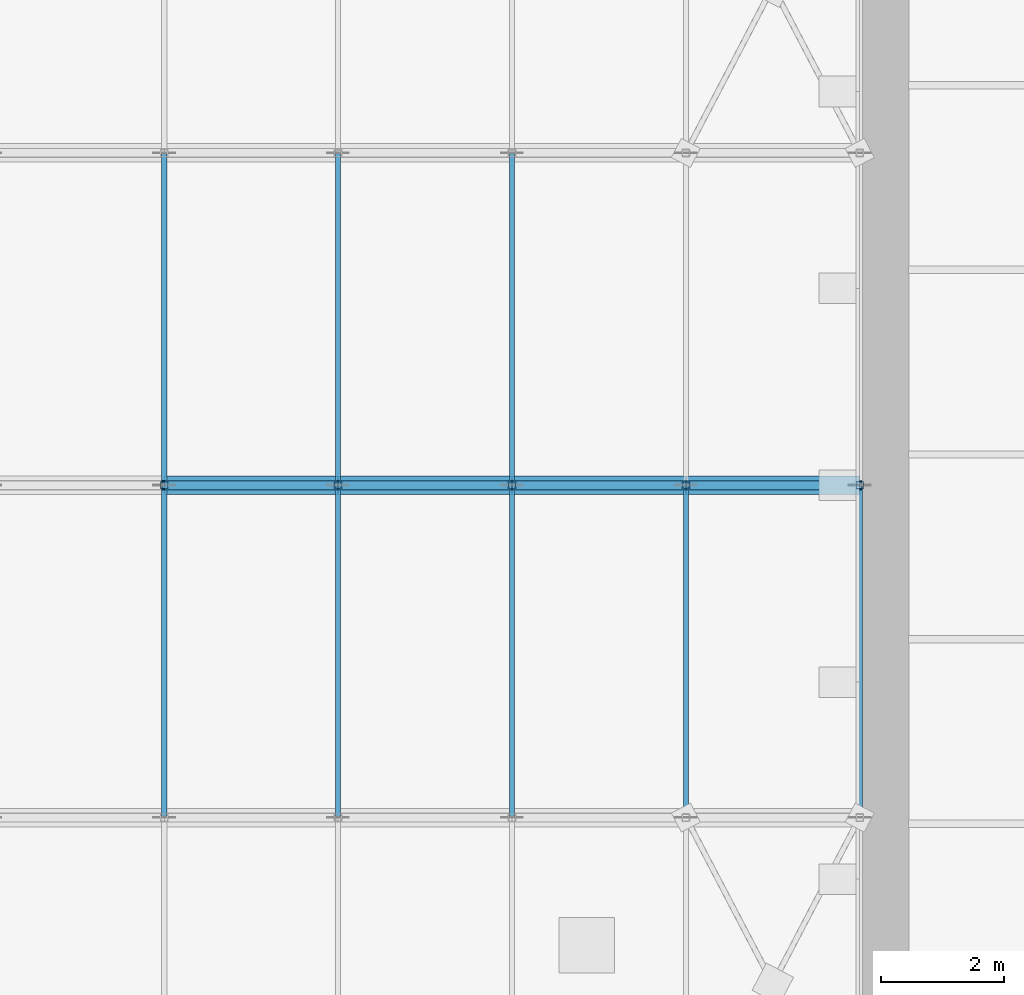
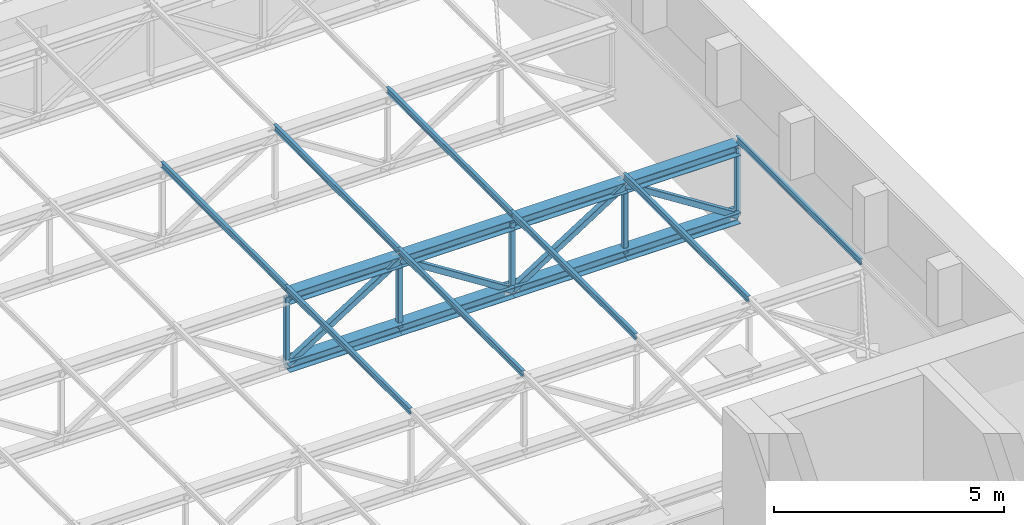
# One storey, part 35 of 132: 25 members.
"""IFC4 building model written with IfcOpenShell, lengths in metres."""

from ifc_helpers import new_model, si_unit, direction, frame, origin, origin_2d, place, context, subcontext, project, spatial, hollow_rectangle, i_section, extrude, material, material_profile, profile_set, type_object, element, save


model = new_model("IFC4")

# Units and contexts
model_context = context("Model", 3, precision=1e-05, world=origin(), true_north=direction((0.0, 1.0)))
body_context = subcontext(model_context, "Body", "Model", "MODEL_VIEW")
ifc_project = project(units=[si_unit("LENGTHUNIT", "METRE"), si_unit("AREAUNIT", "SQUARE_METRE"), si_unit("VOLUMEUNIT", "CUBIC_METRE"), si_unit("PLANEANGLEUNIT", "RADIAN"), si_unit("MASSUNIT", "GRAM", prefix="KILO")], contexts=[model_context])

# Site, building, storey
site_placement = place(None, origin())
site = spatial("IfcSite", under=ifc_project, at=site_placement, CompositionType="ELEMENT")
building_placement = place(site_placement, origin())
building = spatial("IfcBuilding", under=site, at=building_placement, Name="Lunette Opera House", CompositionType="ELEMENT")
storey_placement = place(building_placement, frame((0.0, 0.0, 17.0)))
storey = spatial("IfcBuildingStorey", under=building, at=storey_placement, Name="L03", CompositionType="ELEMENT", Elevation=17.0)

# Members
ifc_material_1 = material(Name="Steel S355", Category="steel")
ifc_material_profile_1 = material_profile(ifc_material_1, i_section(OverallWidth=0.300048828125, OverallDepth=0.2900390625, WebThickness=0.008544921875, FlangeThickness=0.013916015625, FilletRadius=0.027099609375, at=origin_2d()), Name="HEA 300")
ifc_profile_set_1 = profile_set([ifc_material_profile_1], Name="Steel S355")
member_type_1 = type_object("IfcMemberType", Name="CHORD HEA 300", PredefinedType="CHORD", material=ifc_profile_set_1)
for number, where, z_axis, x_axis, name in (
    (1, (71.89990234375, 108.0, 2.574951171875), (1.0, 0.0, 0.0), (0.0, 1.0, 0.0), "mem-ST-L03-SW-TR03-TC5"),
    (2, (71.89990234375, 108.0, 0.77490234375), (1.0, 0.0, 0.0), (0.0, 1.0, 0.0), "mem-ST-L03-SW-TR03-BC5"),
):
    element("IfcMember", number, at=place(storey_placement, frame(where, z_axis=z_axis, x_axis=x_axis)), inside=storey, type_object=member_type_1, Name=name, PredefinedType="CHORD", context=body_context, shape_type="SweptSolid", body=[
        extrude(i_section(OverallWidth=0.300048828125, OverallDepth=0.2900390625, WebThickness=0.008544921875, FlangeThickness=0.013916015625, FilletRadius=0.027099609375, at=origin_2d()), origin(), (0.0, 0.0, 1.0), 2.8251953125),
    ])
for number, where, z_axis, x_axis, name in (
    (3, (74.72509765625, 108.0, 2.574951171875), (1.0, 0.0, 0.0), (0.0, 1.0, 0.0), "mem-ST-L03-SW-TR03-TC6"),
    (4, (74.72509765625, 108.0, 0.77490234375), (1.0, 0.0, 0.0), (0.0, 1.0, 0.0), "mem-ST-L03-SW-TR03-BC6"),
    (5, (77.550048828125, 108.0, 2.574951171875), (1.0, 0.0, 0.0), (0.0, 1.0, 0.0), "mem-ST-L03-SW-TR03-TC7"),
    (6, (77.550048828125, 108.0, 0.77490234375), (1.0, 0.0, 0.0), (0.0, 1.0, 0.0), "mem-ST-L03-SW-TR03-BC7"),
    (7, (80.375, 108.0, 2.574951171875), (1.0, 0.0, 0.0), (0.0, 1.0, 0.0), "mem-ST-L03-SW-TR03-TC8"),
    (8, (80.375, 108.0, 0.77490234375), (1.0, 0.0, 0.0), (0.0, 1.0, 0.0), "mem-ST-L03-SW-TR03-BC8"),
):
    element("IfcMember", number, at=place(storey_placement, frame(where, z_axis=z_axis, x_axis=x_axis)), inside=storey, type_object=member_type_1, Name=name, PredefinedType="CHORD", context=body_context, shape_type="SweptSolid", body=[
        extrude(i_section(OverallWidth=0.300048828125, OverallDepth=0.2900390625, WebThickness=0.008544921875, FlangeThickness=0.013916015625, FilletRadius=0.027099609375, at=origin_2d()), origin(), (0.0, 0.0, 1.0), 2.824951171875),
    ])
ifc_material_2 = material(Name="Steel S355", Category="steel")
ifc_material_profile_2 = material_profile(ifc_material_2, hollow_rectangle(XDim=0.14990234375, YDim=0.14990234375, WallThickness=0.006103515625, InnerFilletRadius=0.006103515625, OuterFilletRadius=0.011962890625, at=origin_2d()), Name="RHS 150X150X6")
ifc_profile_set_2 = profile_set([ifc_material_profile_2], Name="Steel S355")
member_type_2 = type_object("IfcMemberType", Name="DIAGONAL RHS 150X150X6", PredefinedType="BRACE", material=ifc_profile_set_2)
member_placement = place(storey_placement, frame((71.89990234375, 108.0, 0.77490234375), z_axis=(0.843364266472, 0.0, 0.537342268985), x_axis=(0.0, 1.0, 0.0)))
element("IfcMember", 9, at=member_placement, inside=storey, type_object=member_type_2, Name="mem-ST-L03-SW-TR03-TD5", PredefinedType="BRACE", context=body_context, shape_type="SweptSolid", body=[
    extrude(hollow_rectangle(XDim=0.14990234375, YDim=0.14990234375, WallThickness=0.006103515625, InnerFilletRadius=0.006103515625, OuterFilletRadius=0.011962890625, at=origin_2d()), origin(), (0.0, 0.0, 1.0), 3.349853515625),
])
for number, where, z_axis, x_axis, name in (
    (10, (74.72509765625, 108.0, 2.574951171875), (0.843343221477, 0.0, -0.537375297896), (0.0, 1.0, 0.0), "mem-ST-L03-SW-TR03-TD6"),
    (11, (77.550048828125, 108.0, 0.77490234375), (0.843343221477, 0.0, 0.537375297896), (0.0, 1.0, 0.0), "mem-ST-L03-SW-TR03-TD7"),
    (12, (80.375, 108.0, 2.574951171875), (0.843343221477, 0.0, -0.537375297896), (0.0, 1.0, 0.0), "mem-ST-L03-SW-TR03-TD8"),
):
    element("IfcMember", number, at=place(storey_placement, frame(where, z_axis=z_axis, x_axis=x_axis)), inside=storey, type_object=member_type_2, Name=name, PredefinedType="BRACE", context=body_context, shape_type="SweptSolid", body=[
        extrude(hollow_rectangle(XDim=0.14990234375, YDim=0.14990234375, WallThickness=0.006103515625, InnerFilletRadius=0.006103515625, OuterFilletRadius=0.011962890625, at=origin_2d()), origin(), (0.0, 0.0, 1.0), 3.349609375),
    ])
ifc_material_3 = material(Name="Steel S355", Category="steel")
ifc_material_profile_3 = material_profile(ifc_material_3, i_section(OverallWidth=0.08203125, OverallDepth=0.159912109375, WebThickness=0.0048828125, FlangeThickness=0.00732421875, FilletRadius=0.009033203125, at=origin_2d()), Name="IPE 160")
ifc_profile_set_3 = profile_set([ifc_material_profile_3], Name="Steel S355")
member_type_3 = type_object("IfcMemberType", Name="PURLIN IPE 160", PredefinedType="PURLIN", material=ifc_profile_set_3)
for number, where, z_axis, x_axis, name in (
    (13, (71.89990234375, 102.60009765625, 2.800048828125), (0.0, 1.0, 0.0), (-1.0, 0.0, 0.0), "mem-ST-L03-SW-TR-PU5-3"),
    (14, (71.89990234375, 108.0, 2.800048828125), (0.0, 1.0, 0.0), (-1.0, 0.0, 0.0), "mem-ST-L03-SW-TR-PU5-4"),
    (15, (74.72509765625, 102.60009765625, 2.800048828125), (0.0, 1.0, 0.0), (-1.0, 0.0, 0.0), "mem-ST-L03-SW-TR-PU6-3"),
    (16, (74.72509765625, 108.0, 2.800048828125), (0.0, 1.0, 0.0), (-1.0, 0.0, 0.0), "mem-ST-L03-SW-TR-PU6-4"),
    (17, (77.550048828125, 102.60009765625, 2.800048828125), (0.0, 1.0, 0.0), (-1.0, 0.0, 0.0), "mem-ST-L03-SW-TR-PU7-3"),
    (18, (77.550048828125, 108.0, 2.800048828125), (0.0, 1.0, 0.0), (-1.0, 0.0, 0.0), "mem-ST-L03-SW-TR-PU7-4"),
    (19, (80.375, 102.60009765625, 2.800048828125), (0.0, 1.0, 0.0), (-1.0, 0.0, 0.0), "mem-ST-L03-SW-TR-PU8-3"),
    (20, (83.199951171875, 102.60009765625, 2.800048828125), (0.0, 1.0, 0.0), (-1.0, 0.0, 0.0), "mem-ST-L03-SW-TR-PU9-3"),
):
    element("IfcMember", number, at=place(storey_placement, frame(where, z_axis=z_axis, x_axis=x_axis)), inside=storey, type_object=member_type_3, Name=name, PredefinedType="PURLIN", context=body_context, shape_type="SweptSolid", body=[
        extrude(i_section(OverallWidth=0.08203125, OverallDepth=0.159912109375, WebThickness=0.0048828125, FlangeThickness=0.00732421875, FilletRadius=0.009033203125, at=origin_2d()), origin(), (0.0, 0.0, 1.0), 5.39990234375),
    ])
ifc_material_4 = material(Name="Steel S355", Category="steel")
ifc_material_profile_4 = material_profile(ifc_material_4, hollow_rectangle(XDim=0.1201171875, YDim=0.1201171875, WallThickness=0.0048828125, InnerFilletRadius=0.0048828125, OuterFilletRadius=0.010009765625, at=origin_2d()), Name="RHS 120X120X5")
ifc_profile_set_4 = profile_set([ifc_material_profile_4], Name="Steel S355")
member_type_4 = type_object("IfcMemberType", Name="VERTICAL RHS 120X120X5", PredefinedType="POST", material=ifc_profile_set_4)
for number, where, z_axis, x_axis, name in (
    (21, (71.89990234375, 108.0, 0.77490234375), (0.0, 0.0, 1.0), (1.0, 0.0, 0.0), "mem-ST-L03-SW-TR03-TV5"),
    (22, (74.72509765625, 108.0, 0.77490234375), (0.0, 0.0, 1.0), (1.0, 0.0, 0.0), "mem-ST-L03-SW-TR03-TV6"),
    (23, (77.550048828125, 108.0, 0.77490234375), (0.0, 0.0, 1.0), (1.0, 0.0, 0.0), "mem-ST-L03-SW-TR03-TV7"),
    (24, (80.375, 108.0, 0.77490234375), (0.0, 0.0, 1.0), (1.0, 0.0, 0.0), "mem-ST-L03-SW-TR03-TV8"),
    (25, (83.199951171875, 108.0, 0.77490234375), (0.0, 0.0, 1.0), (1.0, 0.0, 0.0), "mem-ST-L03-SW-TR03-TV9"),
):
    element("IfcMember", number, at=place(storey_placement, frame(where, z_axis=z_axis, x_axis=x_axis)), inside=storey, type_object=member_type_4, Name=name, PredefinedType="POST", context=body_context, shape_type="SweptSolid", body=[
        extrude(hollow_rectangle(XDim=0.1201171875, YDim=0.1201171875, WallThickness=0.0048828125, InnerFilletRadius=0.0048828125, OuterFilletRadius=0.010009765625, at=origin_2d()), origin(), (0.0, 0.0, 1.0), 1.800048828125),
    ])

save(model, "model.ifc")
